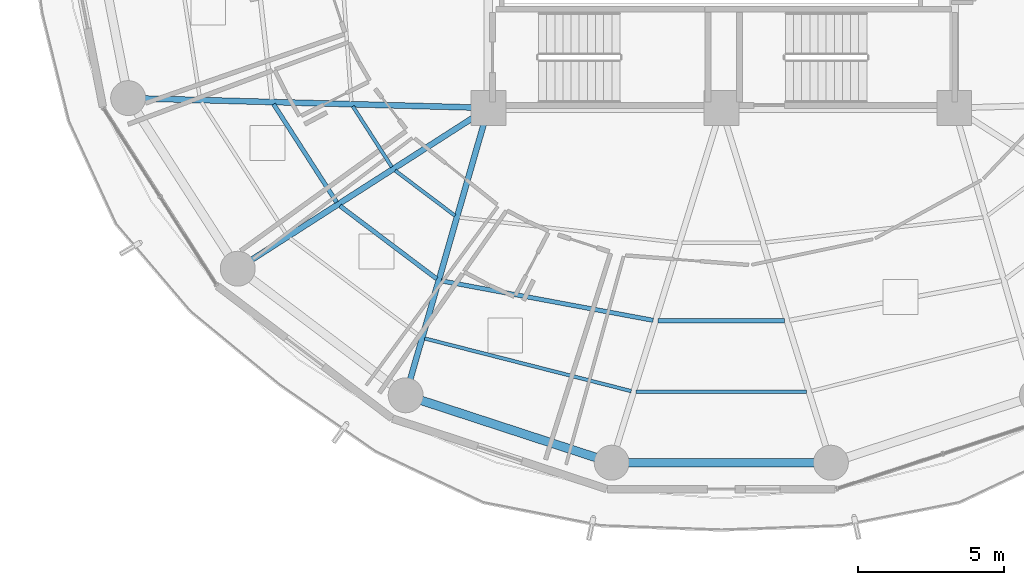
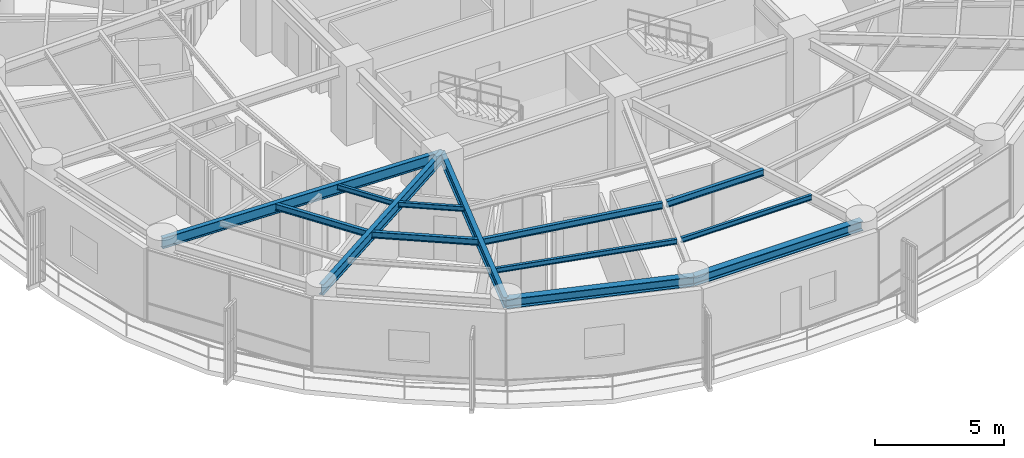
# One storey, part 3 of 28: 13 beams.
"""IFC4 building model written with IfcOpenShell, lengths in metres."""

from ifc_helpers import new_model, si_unit, direction, frame, origin, origin_2d, place, context, subcontext, project, spatial, i_section, extrude, material, material_profile, profile_set, type_object, element, save


model = new_model("IFC4")

# Units and contexts
model_context = context("Model", 3, precision=1e-05, world=origin(), true_north=direction((0.0, 1.0)))
body_context = subcontext(model_context, "Body", "Model", "MODEL_VIEW")
ifc_project = project(units=[si_unit("LENGTHUNIT", "METRE"), si_unit("AREAUNIT", "SQUARE_METRE"), si_unit("VOLUMEUNIT", "CUBIC_METRE"), si_unit("PLANEANGLEUNIT", "RADIAN"), si_unit("MASSUNIT", "GRAM", prefix="KILO")], contexts=[model_context])

# Site, building, storey
site_placement = place(None, origin())
site = spatial("IfcSite", under=ifc_project, at=site_placement, CompositionType="ELEMENT")
building_placement = place(site_placement, origin())
building = spatial("IfcBuilding", under=site, at=building_placement, Name="Kelanora Arch Commons", CompositionType="ELEMENT")
storey_placement = place(building_placement, frame((0.0, 0.0, 139.35009765625)))
storey = spatial("IfcBuildingStorey", under=building, at=storey_placement, Name="L35", CompositionType="ELEMENT", Elevation=139.35009765625)

# Beams
ifc_material = material(Name="Steel S355", Category="steel")
ifc_material_profile_1 = material_profile(ifc_material, i_section(OverallWidth=0.14990234375, OverallDepth=0.300048828125, WebThickness=0.007080078125, FlangeThickness=0.0107421875, FilletRadius=0.014892578125, at=origin_2d()), Name="IPE300")
ifc_profile_set_1 = profile_set([ifc_material_profile_1], Name="Steel S355")
beam_type_1 = type_object("IfcBeamType", Name="BM-JST-01", PredefinedType="JOIST", material=ifc_profile_set_1)
beam_1_placement = place(storey_placement, frame((58.622314453125, 51.130859375, 3.33984375), z_axis=(0.540594434398, -0.841283339606, 0.0), x_axis=(0.841283339606, 0.540594434398, 0.0)))
element("IfcBeam", 1, at=beam_1_placement, inside=storey, type_object=beam_type_1, Name="Secondary Chord Joist BJB-20 L35", PredefinedType="JOIST", context=body_context, shape_type="SweptSolid", body=[
    extrude(i_section(OverallWidth=0.14990234375, OverallDepth=0.300048828125, WebThickness=0.007080078125, FlangeThickness=0.0107421875, FilletRadius=0.014892578125, at=origin_2d()), origin(), (0.0, 0.0, 1.0), 4.008544921875),
])
beam_2_placement = place(storey_placement, frame((60.9033203125, 47.635986328125, 3.33984375), z_axis=(0.798463547891, -0.602043156833, 0.0), x_axis=(0.602043156833, 0.798463547891, 0.0)))
element("IfcBeam", 2, at=beam_2_placement, inside=storey, type_object=beam_type_1, Name="Secondary Chord Joist BJB-22 L35", PredefinedType="JOIST", context=body_context, shape_type="SweptSolid", body=[
    extrude(i_section(OverallWidth=0.14990234375, OverallDepth=0.300048828125, WebThickness=0.007080078125, FlangeThickness=0.0107421875, FilletRadius=0.014892578125, at=origin_2d()), origin(), (0.0, 0.0, 1.0), 4.163818359375),
])
beam_3_placement = place(storey_placement, frame((64.379638671875, 45.062255859375, 3.33984375), z_axis=(0.983054256126, -0.183314837134, 0.0), x_axis=(0.183314837134, 0.983054256126, 0.0)))
element("IfcBeam", 3, at=beam_3_placement, inside=storey, type_object=beam_type_1, Name="Secondary Chord Joist BJB-24 L35", PredefinedType="JOIST", context=body_context, shape_type="SweptSolid", body=[
    extrude(i_section(OverallWidth=0.14990234375, OverallDepth=0.300048828125, WebThickness=0.007080078125, FlangeThickness=0.0107421875, FilletRadius=0.014892578125, at=origin_2d()), origin(), (0.0, 0.0, 1.0), 7.403564453125),
])
beam_4_placement = place(storey_placement, frame((71.826171875, 43.689453125, 3.33984375), z_axis=(1.0, 0.0, 0.0), x_axis=(0.0, 1.0, 0.0)))
element("IfcBeam", 4, at=beam_4_placement, inside=storey, type_object=beam_type_1, Name="Secondary Chord Joist BJB-26 L35", PredefinedType="JOIST", context=body_context, shape_type="SweptSolid", body=[
    extrude(i_section(OverallWidth=0.14990234375, OverallDepth=0.300048828125, WebThickness=0.007080078125, FlangeThickness=0.0107421875, FilletRadius=0.014892578125, at=origin_2d()), origin(), (0.0, 0.0, 1.0), 4.34765625),
])
ifc_material_profile_2 = material_profile(ifc_material, i_section(OverallWidth=0.1201171875, OverallDepth=0.239990234375, WebThickness=0.006103515625, FlangeThickness=0.009765625, FilletRadius=0.014892578125, at=origin_2d()), Name="IPE240")
ifc_profile_set_2 = profile_set([ifc_material_profile_2], Name="Steel S355")
beam_type_2 = type_object("IfcBeamType", Name="BM-JST-02", PredefinedType="JOIST", material=ifc_profile_set_2)
beam_5_placement = place(storey_placement, frame((61.344482421875, 51.056640625, 3.369873046875), z_axis=(0.540583174025, -0.841290575224, 0.0), x_axis=(0.841290575224, 0.540583174025, 0.0)))
element("IfcBeam", 5, at=beam_5_placement, inside=storey, type_object=beam_type_2, Name="Secondary Chord Joist BJA-20 L35", PredefinedType="JOIST", context=body_context, shape_type="SweptSolid", body=[
    extrude(i_section(OverallWidth=0.1201171875, OverallDepth=0.239990234375, WebThickness=0.006103515625, FlangeThickness=0.009765625, FilletRadius=0.014892578125, at=origin_2d()), origin(), (0.0, 0.0, 1.0), 2.476318359375),
])
beam_6_placement = place(storey_placement, frame((62.796875, 48.8505859375, 3.369873046875), z_axis=(0.798484118859, -0.602015873487, 0.0), x_axis=(0.602015873487, 0.798484118859, 0.0)))
element("IfcBeam", 6, at=beam_6_placement, inside=storey, type_object=beam_type_2, Name="Secondary Chord Joist BJA-22 L35", PredefinedType="JOIST", context=body_context, shape_type="SweptSolid", body=[
    extrude(i_section(OverallWidth=0.1201171875, OverallDepth=0.239990234375, WebThickness=0.006103515625, FlangeThickness=0.009765625, FilletRadius=0.014892578125, at=origin_2d()), origin(), (0.0, 0.0, 1.0), 2.57470703125),
])
beam_7_placement = place(storey_placement, frame((63.810302734375, 43.082763671875, 3.369873046875), z_axis=(0.96900232943, -0.247051584815, 0.0), x_axis=(0.247051584815, 0.96900232943, 0.0)))
element("IfcBeam", 7, at=beam_7_placement, inside=storey, type_object=beam_type_2, Name="Secondary Chord Joist BJC-24 L35", PredefinedType="JOIST", context=body_context, shape_type="SweptSolid", body=[
    extrude(i_section(OverallWidth=0.1201171875, OverallDepth=0.239990234375, WebThickness=0.006103515625, FlangeThickness=0.009765625, FilletRadius=0.014892578125, at=origin_2d()), origin(), (0.0, 0.0, 1.0), 7.32275390625),
])
beam_8_placement = place(storey_placement, frame((71.0732421875, 41.252685546875, 3.369873046875), z_axis=(1.0, 0.0, 0.0), x_axis=(0.0, 1.0, 0.0)))
element("IfcBeam", 8, at=beam_8_placement, inside=storey, type_object=beam_type_2, Name="Secondary Chord Joist BJC-26 L35", PredefinedType="JOIST", context=body_context, shape_type="SweptSolid", body=[
    extrude(i_section(OverallWidth=0.1201171875, OverallDepth=0.239990234375, WebThickness=0.006103515625, FlangeThickness=0.009765625, FilletRadius=0.014892578125, at=origin_2d()), origin(), (0.0, 0.0, 1.0), 5.853515625),
])
ifc_material_profile_3 = material_profile(ifc_material, i_section(OverallWidth=0.199951171875, OverallDepth=0.5, WebThickness=0.01025390625, FlangeThickness=0.01611328125, FilletRadius=0.02099609375, at=origin_2d()), Name="IPE500")
ifc_profile_set_3 = profile_set([ifc_material_profile_3], Name="Steel S355")
beam_type_3 = type_object("IfcBeamType", Name="BM-RAD-Z3", PredefinedType="BEAM", material=ifc_profile_set_3)
beam_9_placement = place(storey_placement, frame((66.0, 51.0, 3.239990234375), z_axis=(-0.999628374924, 0.027260081577, 0.0), x_axis=(-0.027260081577, -0.999628374924, 0.0)))
element("IfcBeam", 9, at=beam_9_placement, inside=storey, type_object=beam_type_3, Name="Radial Floor Girder BR-20 L35", PredefinedType="BEAM", context=body_context, shape_type="SweptSolid", body=[
    extrude(i_section(OverallWidth=0.199951171875, OverallDepth=0.5, WebThickness=0.01025390625, FlangeThickness=0.01611328125, FilletRadius=0.02099609375, at=origin_2d()), origin(), (0.0, 0.0, 1.0), 12.377197265625),
])
beam_10_placement = place(storey_placement, frame((66.0, 51.0, 3.239990234375), z_axis=(-0.841719465748, -0.539915123868, 0.0), x_axis=(0.539915123868, -0.841719465748, 0.0)))
element("IfcBeam", 10, at=beam_10_placement, inside=storey, type_object=beam_type_3, Name="Radial Floor Girder BR-22 L35", PredefinedType="BEAM", context=body_context, shape_type="SweptSolid", body=[
    extrude(i_section(OverallWidth=0.199951171875, OverallDepth=0.5, WebThickness=0.01025390625, FlangeThickness=0.01611328125, FilletRadius=0.02099609375, at=origin_2d()), origin(), (0.0, 0.0, 1.0), 10.2265625),
])
beam_11_placement = place(storey_placement, frame((66.0, 51.0, 3.239990234375), z_axis=(-0.276525880065, -0.961006471182, 0.0), x_axis=(0.961006471182, -0.276525880065, 0.0)))
element("IfcBeam", 11, at=beam_11_placement, inside=storey, type_object=beam_type_3, Name="Radial Floor Girder BR-24 L35", PredefinedType="BEAM", context=body_context, shape_type="SweptSolid", body=[
    extrude(i_section(OverallWidth=0.199951171875, OverallDepth=0.5, WebThickness=0.01025390625, FlangeThickness=0.01611328125, FilletRadius=0.02099609375, at=origin_2d()), origin(), (0.0, 0.0, 1.0), 10.2705078125),
])
ifc_material_profile_4 = material_profile(ifc_material, i_section(OverallWidth=0.300048828125, OverallDepth=0.449951171875, WebThickness=0.013916015625, FlangeThickness=0.02587890625, FilletRadius=0.027099609375, at=origin_2d()), Name="HEB450")
ifc_profile_set_4 = profile_set([ifc_material_profile_4], Name="Steel S355")
beam_type_4 = type_object("IfcBeamType", Name="BM-SPN-Z3", PredefinedType="SPANDREL", material=ifc_profile_set_4)
beam_12_placement = place(storey_placement, frame((63.159912109375, 41.1298828125, 3.264892578125), z_axis=(0.950461975786, -0.310840847676, 0.0), x_axis=(0.310840847676, 0.950461975786, 0.0)))
element("IfcBeam", 12, at=beam_12_placement, inside=storey, type_object=beam_type_4, Name="Perimeter Spandrel Beam BS-24 L35", PredefinedType="SPANDREL", context=body_context, shape_type="SweptSolid", body=[
    extrude(i_section(OverallWidth=0.300048828125, OverallDepth=0.449951171875, WebThickness=0.013916015625, FlangeThickness=0.02587890625, FilletRadius=0.027099609375, at=origin_2d()), origin(), (0.0, 0.0, 1.0), 7.444091796875),
])
beam_13_placement = place(storey_placement, frame((70.2353515625, 38.81591796875, 3.264892578125), z_axis=(1.0, 0.0, 0.0), x_axis=(0.0, 1.0, 0.0)))
element("IfcBeam", 13, at=beam_13_placement, inside=storey, type_object=beam_type_4, Name="Perimeter Spandrel Beam BS-26 L35", PredefinedType="SPANDREL", context=body_context, shape_type="SweptSolid", body=[
    extrude(i_section(OverallWidth=0.300048828125, OverallDepth=0.449951171875, WebThickness=0.013916015625, FlangeThickness=0.02587890625, FilletRadius=0.027099609375, at=origin_2d()), origin(), (0.0, 0.0, 1.0), 7.529296875),
])

save(model, "model.ifc")
